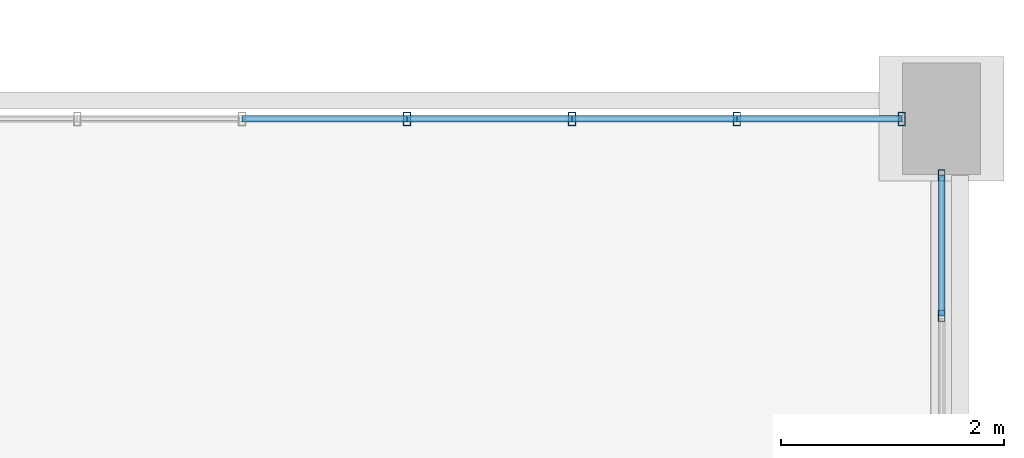
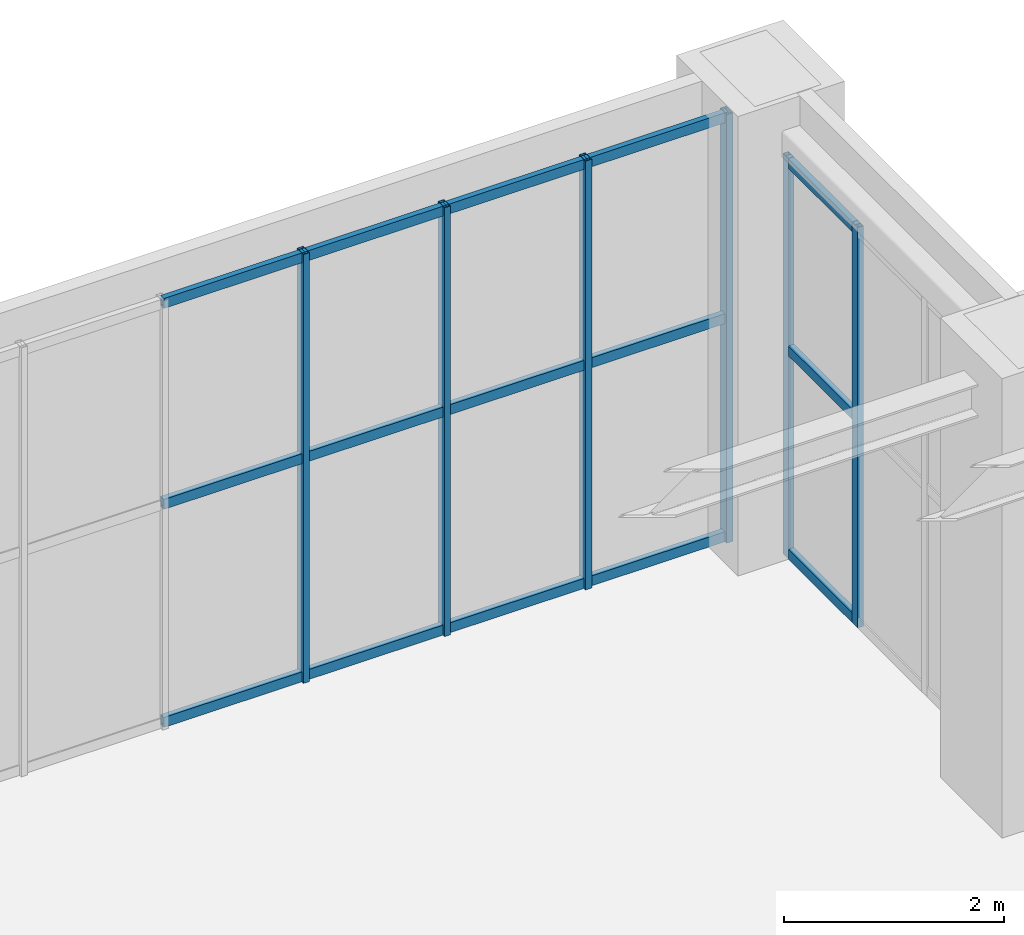
# One storey, part 121 of 174: 21 members, 2 elements without a shape of their own.
"""IFC4 building model written with IfcOpenShell, lengths in metres."""

from ifc_helpers import new_model, si_unit, direction, frame, origin, origin_2d, place, context, subcontext, project, spatial, hollow_rectangle, extrude, material, material_profile, profile_set, type_object, element, aggregate, save


model = new_model("IFC4")

# Units and contexts
model_context = context("Model", 3, precision=1e-05, world=origin(), true_north=direction((0.0, 1.0)))
body_context = subcontext(model_context, "Body", "Model", "MODEL_VIEW")
ifc_project = project(units=[si_unit("LENGTHUNIT", "METRE"), si_unit("AREAUNIT", "SQUARE_METRE"), si_unit("VOLUMEUNIT", "CUBIC_METRE"), si_unit("PLANEANGLEUNIT", "RADIAN"), si_unit("MASSUNIT", "GRAM", prefix="KILO")], contexts=[model_context])

# Site, building, storey
site_placement = place(None, origin())
site = spatial("IfcSite", under=ifc_project, at=site_placement, CompositionType="ELEMENT")
building_placement = place(site_placement, origin())
building = spatial("IfcBuilding", under=site, at=building_placement, Name="Mavantir Sound Aquarium", CompositionType="ELEMENT")
storey_placement = place(building_placement, frame((0.0, 0.0, 5.39990234375)))
storey = spatial("IfcBuildingStorey", under=building, at=storey_placement, Name="L01", CompositionType="ELEMENT", Elevation=5.39990234375)

# Curtain wall, members
ifc_material_1 = material(Name="Anodised Marine Aluminium and Low-E Glass", Category="aluminium")
curtain_wall_type_1 = type_object("IfcCurtainWallType", Name="CW-T11", PredefinedType="USERDEFINED", material=ifc_material_1)
curtain_wall_1_placement = place(storey_placement, origin())
curtain_wall_1 = element("IfcCurtainWall", 1, at=curtain_wall_1_placement, inside=storey, type_object=curtain_wall_type_1, Name="L01 unitised curtain wall CW-11 107", ObjectType="UNITISED GLAZING", PredefinedType="USERDEFINED")
ifc_material_2 = material(Name="Anodised Marine Aluminium 6063-T6", Category="aluminium")
ifc_material_profile_1 = material_profile(ifc_material_2, hollow_rectangle(XDim=0.06005859375, YDim=0.10009765625, WallThickness=0.00390625, at=origin_2d()), Name="ALU-MULLION-100X60")
ifc_profile_set_1 = profile_set([ifc_material_profile_1], Name="Anodised Marine Aluminium 6063-T6")
member_type_1 = type_object("IfcMemberType", Name="CW-MUL-100", PredefinedType="MULLION", material=ifc_profile_set_1)
member_1_placement = place(storey_placement, frame((175.199951171875, 63.830810546875, 0.0), z_axis=(0.0, 0.0, 1.0), x_axis=(1.0, 0.0, 0.0)))
member_1 = element("IfcMember", 2, at=member_1_placement, type_object=member_type_1, Name="CW-L01-107 vertical mullion 3", PredefinedType="MULLION", context=body_context, shape_type="SweptSolid", body=[
    extrude(hollow_rectangle(XDim=0.06005859375, YDim=0.10009765625, WallThickness=0.00390625, at=origin_2d()), origin(), (0.0, 0.0, 1.0), 4.446044921875),
])
member_2_placement = place(storey_placement, frame((175.199951171875, 65.092041015625, 0.0), z_axis=(0.0, 0.0, 1.0), x_axis=(1.0, 0.0, 0.0)))
member_2 = element("IfcMember", 3, at=member_2_placement, type_object=member_type_1, Name="CW-L01-107 vertical mullion 4", PredefinedType="MULLION", context=body_context, shape_type="SweptSolid", body=[
    extrude(hollow_rectangle(XDim=0.06005859375, YDim=0.10009765625, WallThickness=0.00390625, at=origin_2d()), origin(), (0.0, 0.0, 1.0), 4.446044921875),
])

curtain_wall_type_2 = type_object("IfcCurtainWallType", Name="CW-T12", PredefinedType="USERDEFINED", material=ifc_material_1)
curtain_wall_2_placement = place(storey_placement, origin())
curtain_wall_2 = element("IfcCurtainWall", 4, at=curtain_wall_2_placement, inside=storey, type_object=curtain_wall_type_2, Name="L01 unitised curtain wall CW-12 108", ObjectType="UNITISED GLAZING", PredefinedType="USERDEFINED")
ifc_material_profile_2 = material_profile(ifc_material_2, hollow_rectangle(XDim=0.06494140625, YDim=0.1201171875, WallThickness=0.00390625, at=origin_2d()), Name="ALU-MULLION-120X65")
ifc_profile_set_2 = profile_set([ifc_material_profile_2], Name="Anodised Marine Aluminium 6063-T6")
member_type_2 = type_object("IfcMemberType", Name="CW-MUL-120", PredefinedType="MULLION", material=ifc_profile_set_2)
member_3_placement = place(storey_placement, frame((174.842041015625, 65.60009765625, 0.0), z_axis=(0.0, 0.0, 1.0), x_axis=(1.0, 0.0, 0.0)))
member_3 = element("IfcMember", 5, at=member_3_placement, type_object=member_type_2, Name="CW-L01-108 vertical mullion 1", PredefinedType="MULLION", context=body_context, shape_type="SweptSolid", body=[
    extrude(hollow_rectangle(XDim=0.06494140625, YDim=0.1201171875, WallThickness=0.00390625, at=origin_2d()), origin(), (0.0, 0.0, 1.0), 4.760009765625),
])
member_4_placement = place(storey_placement, frame((173.361328125, 65.60009765625, 0.0), z_axis=(0.0, 0.0, 1.0), x_axis=(1.0, 0.0, 0.0)))
member_4 = element("IfcMember", 6, at=member_4_placement, type_object=member_type_2, Name="CW-L01-108 vertical mullion 2", PredefinedType="MULLION", context=body_context, shape_type="SweptSolid", body=[
    extrude(hollow_rectangle(XDim=0.06494140625, YDim=0.1201171875, WallThickness=0.00390625, at=origin_2d()), origin(), (0.0, 0.0, 1.0), 4.760009765625),
])
member_5_placement = place(storey_placement, frame((171.880615234375, 65.60009765625, 0.0), z_axis=(0.0, 0.0, 1.0), x_axis=(1.0, 0.0, 0.0)))
member_5 = element("IfcMember", 7, at=member_5_placement, type_object=member_type_2, Name="CW-L01-108 vertical mullion 3", PredefinedType="MULLION", context=body_context, shape_type="SweptSolid", body=[
    extrude(hollow_rectangle(XDim=0.06494140625, YDim=0.1201171875, WallThickness=0.00390625, at=origin_2d()), origin(), (0.0, 0.0, 1.0), 4.760009765625),
])
member_6_placement = place(storey_placement, frame((170.39990234375, 65.60009765625, 0.0), z_axis=(0.0, 0.0, 1.0), x_axis=(1.0, 0.0, 0.0)))
member_6 = element("IfcMember", 8, at=member_6_placement, type_object=member_type_2, Name="CW-L01-108 vertical mullion 4", PredefinedType="MULLION", context=body_context, shape_type="SweptSolid", body=[
    extrude(hollow_rectangle(XDim=0.06494140625, YDim=0.1201171875, WallThickness=0.00390625, at=origin_2d()), origin(), (0.0, 0.0, 1.0), 4.760009765625),
])

# Member
ifc_material_profile_3 = material_profile(ifc_material_2, hollow_rectangle(XDim=0.06005859375, YDim=0.110107421875, WallThickness=0.00390625, at=origin_2d()), Name="ALU-TRANSOM-110X60")
ifc_profile_set_3 = profile_set([ifc_material_profile_3], Name="Anodised Marine Aluminium 6063-T6")
member_type_3 = type_object("IfcMemberType", Name="CW-TRN-110", PredefinedType="USERDEFINED", material=ifc_profile_set_3)
member_7_placement = place(storey_placement, frame((175.199951171875, 63.830810546875, 0.05517578125), z_axis=(0.0, 1.0, 0.0), x_axis=(-1.0, 0.0, 0.0)))
member_7 = element("IfcMember", 9, at=member_7_placement, type_object=member_type_3, Name="CW-L01-107 transom 3.1", ObjectType="TRANSOM", PredefinedType="USERDEFINED", context=body_context, shape_type="SweptSolid", body=[
    extrude(hollow_rectangle(XDim=0.06005859375, YDim=0.110107421875, WallThickness=0.00390625, at=origin_2d()), origin(), (0.0, 0.0, 1.0), 1.26123046875),
])

member_8_placement = place(storey_placement, frame((175.199951171875, 63.830810546875, 2.31201171875), z_axis=(0.0, 1.0, 0.0), x_axis=(-1.0, 0.0, 0.0)))
member_8 = element("IfcMember", 10, at=member_8_placement, type_object=member_type_3, Name="CW-L01-107 transom 3.2", ObjectType="TRANSOM", PredefinedType="USERDEFINED", context=body_context, shape_type="SweptSolid", body=[
    extrude(hollow_rectangle(XDim=0.06005859375, YDim=0.110107421875, WallThickness=0.00390625, at=origin_2d()), origin(), (0.0, 0.0, 1.0), 1.26123046875),
])

member_9_placement = place(storey_placement, frame((175.199951171875, 63.830810546875, 4.39111328125), z_axis=(0.0, 1.0, 0.0), x_axis=(-1.0, 0.0, 0.0)))
member_9 = element("IfcMember", 11, at=member_9_placement, type_object=member_type_3, Name="CW-L01-107 transom 3.3", ObjectType="TRANSOM", PredefinedType="USERDEFINED", context=body_context, shape_type="SweptSolid", body=[
    extrude(hollow_rectangle(XDim=0.06005859375, YDim=0.110107421875, WallThickness=0.00390625, at=origin_2d()), origin(), (0.0, 0.0, 1.0), 1.26123046875),
])

aggregate(curtain_wall_1, [member_1, member_2, member_7, member_8, member_9])

member_10_placement = place(storey_placement, frame((174.842041015625, 65.60009765625, 0.05517578125), z_axis=(-1.0, 0.0, 0.0), x_axis=(0.0, -1.0, 0.0)))
member_10 = element("IfcMember", 12, at=member_10_placement, type_object=member_type_3, Name="CW-L01-108 transom 1.1", ObjectType="TRANSOM", PredefinedType="USERDEFINED", context=body_context, shape_type="SweptSolid", body=[
    extrude(hollow_rectangle(XDim=0.06005859375, YDim=0.110107421875, WallThickness=0.00390625, at=origin_2d()), origin(), (0.0, 0.0, 1.0), 1.480712890625),
])

member_11_placement = place(storey_placement, frame((174.842041015625, 65.60009765625, 2.475341796875), z_axis=(-1.0, 0.0, 0.0), x_axis=(0.0, -1.0, 0.0)))
member_11 = element("IfcMember", 13, at=member_11_placement, type_object=member_type_3, Name="CW-L01-108 transom 1.2", ObjectType="TRANSOM", PredefinedType="USERDEFINED", context=body_context, shape_type="SweptSolid", body=[
    extrude(hollow_rectangle(XDim=0.06005859375, YDim=0.110107421875, WallThickness=0.00390625, at=origin_2d()), origin(), (0.0, 0.0, 1.0), 1.480712890625),
])

member_12_placement = place(storey_placement, frame((174.842041015625, 65.60009765625, 4.705078125), z_axis=(-1.0, 0.0, 0.0), x_axis=(0.0, -1.0, 0.0)))
member_12 = element("IfcMember", 14, at=member_12_placement, type_object=member_type_3, Name="CW-L01-108 transom 1.3", ObjectType="TRANSOM", PredefinedType="USERDEFINED", context=body_context, shape_type="SweptSolid", body=[
    extrude(hollow_rectangle(XDim=0.06005859375, YDim=0.110107421875, WallThickness=0.00390625, at=origin_2d()), origin(), (0.0, 0.0, 1.0), 1.480712890625),
])

member_13_placement = place(storey_placement, frame((173.361328125, 65.60009765625, 0.05517578125), z_axis=(-1.0, 0.0, 0.0), x_axis=(0.0, -1.0, 0.0)))
member_13 = element("IfcMember", 15, at=member_13_placement, type_object=member_type_3, Name="CW-L01-108 transom 2.1", ObjectType="TRANSOM", PredefinedType="USERDEFINED", context=body_context, shape_type="SweptSolid", body=[
    extrude(hollow_rectangle(XDim=0.06005859375, YDim=0.110107421875, WallThickness=0.00390625, at=origin_2d()), origin(), (0.0, 0.0, 1.0), 1.480712890625),
])

member_14_placement = place(storey_placement, frame((173.361328125, 65.60009765625, 2.475341796875), z_axis=(-1.0, 0.0, 0.0), x_axis=(0.0, -1.0, 0.0)))
member_14 = element("IfcMember", 16, at=member_14_placement, type_object=member_type_3, Name="CW-L01-108 transom 2.2", ObjectType="TRANSOM", PredefinedType="USERDEFINED", context=body_context, shape_type="SweptSolid", body=[
    extrude(hollow_rectangle(XDim=0.06005859375, YDim=0.110107421875, WallThickness=0.00390625, at=origin_2d()), origin(), (0.0, 0.0, 1.0), 1.480712890625),
])

member_15_placement = place(storey_placement, frame((173.361328125, 65.60009765625, 4.705078125), z_axis=(-1.0, 0.0, 0.0), x_axis=(0.0, -1.0, 0.0)))
member_15 = element("IfcMember", 17, at=member_15_placement, type_object=member_type_3, Name="CW-L01-108 transom 2.3", ObjectType="TRANSOM", PredefinedType="USERDEFINED", context=body_context, shape_type="SweptSolid", body=[
    extrude(hollow_rectangle(XDim=0.06005859375, YDim=0.110107421875, WallThickness=0.00390625, at=origin_2d()), origin(), (0.0, 0.0, 1.0), 1.480712890625),
])

member_16_placement = place(storey_placement, frame((171.880615234375, 65.60009765625, 0.05517578125), z_axis=(-1.0, 0.0, 0.0), x_axis=(0.0, -1.0, 0.0)))
member_16 = element("IfcMember", 18, at=member_16_placement, type_object=member_type_3, Name="CW-L01-108 transom 3.1", ObjectType="TRANSOM", PredefinedType="USERDEFINED", context=body_context, shape_type="SweptSolid", body=[
    extrude(hollow_rectangle(XDim=0.06005859375, YDim=0.110107421875, WallThickness=0.00390625, at=origin_2d()), origin(), (0.0, 0.0, 1.0), 1.480712890625),
])

member_17_placement = place(storey_placement, frame((171.880615234375, 65.60009765625, 2.475341796875), z_axis=(-1.0, 0.0, 0.0), x_axis=(0.0, -1.0, 0.0)))
member_17 = element("IfcMember", 19, at=member_17_placement, type_object=member_type_3, Name="CW-L01-108 transom 3.2", ObjectType="TRANSOM", PredefinedType="USERDEFINED", context=body_context, shape_type="SweptSolid", body=[
    extrude(hollow_rectangle(XDim=0.06005859375, YDim=0.110107421875, WallThickness=0.00390625, at=origin_2d()), origin(), (0.0, 0.0, 1.0), 1.480712890625),
])

member_18_placement = place(storey_placement, frame((171.880615234375, 65.60009765625, 4.705078125), z_axis=(-1.0, 0.0, 0.0), x_axis=(0.0, -1.0, 0.0)))
member_18 = element("IfcMember", 20, at=member_18_placement, type_object=member_type_3, Name="CW-L01-108 transom 3.3", ObjectType="TRANSOM", PredefinedType="USERDEFINED", context=body_context, shape_type="SweptSolid", body=[
    extrude(hollow_rectangle(XDim=0.06005859375, YDim=0.110107421875, WallThickness=0.00390625, at=origin_2d()), origin(), (0.0, 0.0, 1.0), 1.480712890625),
])

member_19_placement = place(storey_placement, frame((170.39990234375, 65.60009765625, 0.05517578125), z_axis=(-1.0, 0.0, 0.0), x_axis=(0.0, -1.0, 0.0)))
member_19 = element("IfcMember", 21, at=member_19_placement, type_object=member_type_3, Name="CW-L01-108 transom 4.1", ObjectType="TRANSOM", PredefinedType="USERDEFINED", context=body_context, shape_type="SweptSolid", body=[
    extrude(hollow_rectangle(XDim=0.06005859375, YDim=0.110107421875, WallThickness=0.00390625, at=origin_2d()), origin(), (0.0, 0.0, 1.0), 1.480712890625),
])

member_20_placement = place(storey_placement, frame((170.39990234375, 65.60009765625, 2.475341796875), z_axis=(-1.0, 0.0, 0.0), x_axis=(0.0, -1.0, 0.0)))
member_20 = element("IfcMember", 22, at=member_20_placement, type_object=member_type_3, Name="CW-L01-108 transom 4.2", ObjectType="TRANSOM", PredefinedType="USERDEFINED", context=body_context, shape_type="SweptSolid", body=[
    extrude(hollow_rectangle(XDim=0.06005859375, YDim=0.110107421875, WallThickness=0.00390625, at=origin_2d()), origin(), (0.0, 0.0, 1.0), 1.480712890625),
])

member_21_placement = place(storey_placement, frame((170.39990234375, 65.60009765625, 4.705078125), z_axis=(-1.0, 0.0, 0.0), x_axis=(0.0, -1.0, 0.0)))
member_21 = element("IfcMember", 23, at=member_21_placement, type_object=member_type_3, Name="CW-L01-108 transom 4.3", ObjectType="TRANSOM", PredefinedType="USERDEFINED", context=body_context, shape_type="SweptSolid", body=[
    extrude(hollow_rectangle(XDim=0.06005859375, YDim=0.110107421875, WallThickness=0.00390625, at=origin_2d()), origin(), (0.0, 0.0, 1.0), 1.480712890625),
])

aggregate(curtain_wall_2, [member_3, member_4, member_5, member_6, member_10, member_11, member_12, member_13, member_14, member_15, member_16, member_17, member_18, member_19, member_20, member_21])

save(model, "model.ifc")
